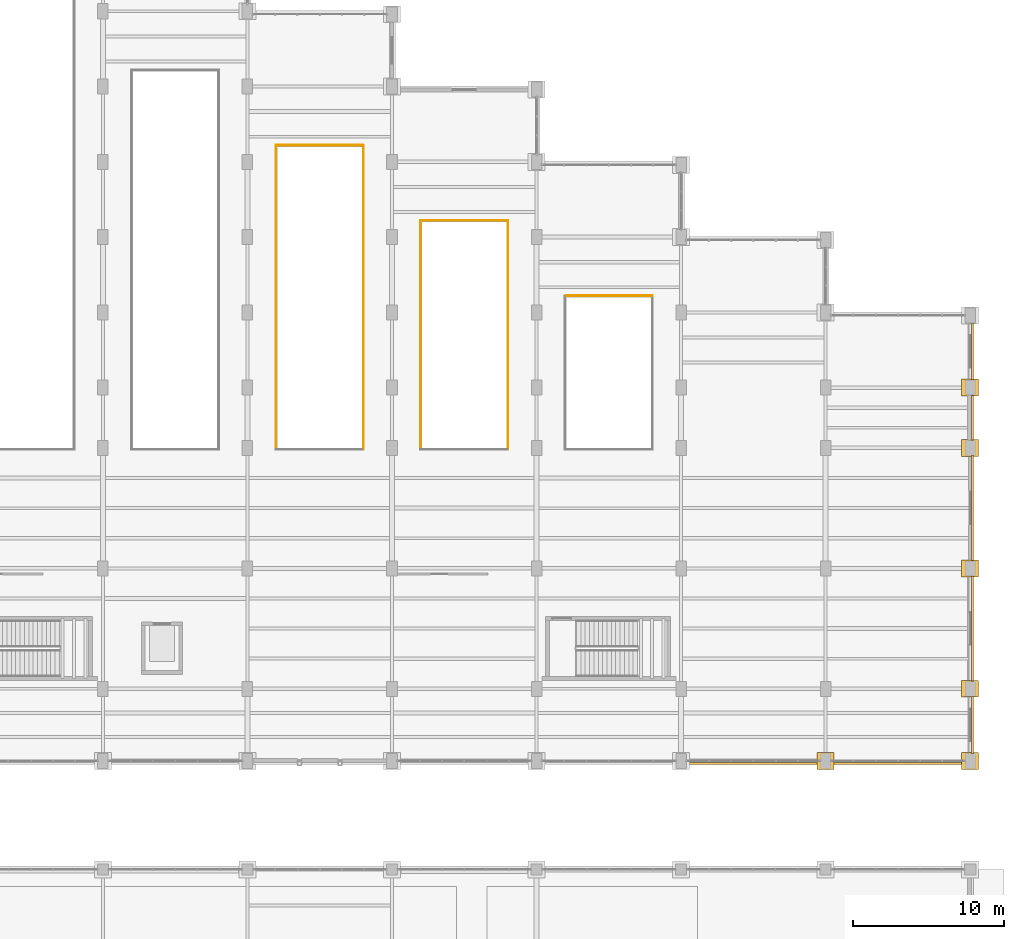
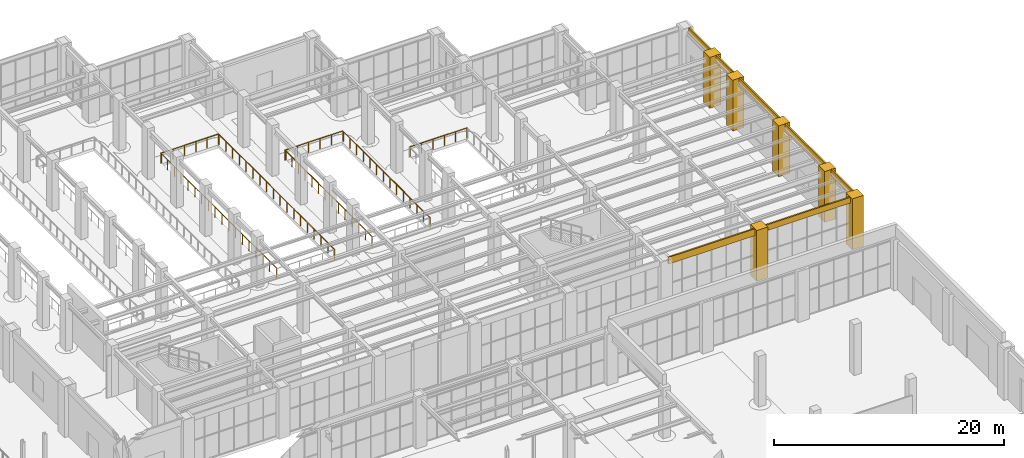
# One storey, part 161 of 164: 13 coverings, 7 railings.
"""IFC4 building model written with IfcOpenShell, lengths in metres."""

from ifc_helpers import new_model, si_unit, direction, frame, origin, origin_2d, place, context, subcontext, project, spatial, polyline, circle, outline, extrude, material, layer, layer_set, type_object, element, save


model = new_model("IFC4")

# Units and contexts
model_context = context("Model", 3, precision=1e-05, world=origin(), true_north=direction((0.0, 1.0)))
body_context = subcontext(model_context, "Body", "Model", "MODEL_VIEW")
ifc_project = project(units=[si_unit("LENGTHUNIT", "METRE"), si_unit("AREAUNIT", "SQUARE_METRE"), si_unit("VOLUMEUNIT", "CUBIC_METRE"), si_unit("PLANEANGLEUNIT", "RADIAN"), si_unit("MASSUNIT", "GRAM", prefix="KILO")], contexts=[model_context])

# Site, building, storey
site_placement = place(None, origin())
site = spatial("IfcSite", under=ifc_project, at=site_placement, CompositionType="ELEMENT")
building_placement = place(site_placement, origin())
building = spatial("IfcBuilding", under=site, at=building_placement, Name="Mavantir Sound Aquarium", CompositionType="ELEMENT")
storey_placement = place(building_placement, origin())
storey = spatial("IfcBuildingStorey", under=building, at=storey_placement, Name="L00", CompositionType="ELEMENT", Elevation=0.0)

# Coverings
ifc_material_1 = material(Name="Honed Coral-Limestone & Glazed Terracotta Rainscreen Cladding", Category="masonry")
ifc_layer = layer(ifc_material_1, 0.06005859375, Name="Honed Coral-Limestone & Glazed Terracotta Rainscreen Cladding")
ifc_layer_set = layer_set([ifc_layer], Name="Honed Coral-Limestone & Glazed Terracotta Rainscreen Cladding")
covering_type = type_object("IfcCoveringType", Name="COV-CLAD-TC", PredefinedType="CLADDING", material=ifc_layer_set)
covering_1_placement = place(storey_placement, frame((0.0, 0.0, 4.677978515625)))
element("IfcCovering", 1, at=covering_1_placement, inside=storey, type_object=covering_type, Name="L00 Postmodern coral-limestone spandrel frieze 89", PredefinedType="CLADDING", context=body_context, shape_type="SweptSolid", body=[
    extrude(outline(polyline([(156.35791015625, 35.909912109375), (165.241943359375, 35.909912109375), (165.241943359375, 35.760009765625), (156.35791015625, 35.760009765625), (156.35791015625, 35.909912109375)])), origin(), (0.0, 0.0, 1.0), 0.721923828125),
])
covering_2_placement = place(storey_placement, frame((0.0, 0.0, 4.782958984375)))
element("IfcCovering", 2, at=covering_2_placement, inside=storey, type_object=covering_type, Name="L00 Postmodern coral-limestone spandrel frieze 90", PredefinedType="CLADDING", context=body_context, shape_type="SweptSolid", body=[
    extrude(outline(polyline([(165.9580078125, 35.909912109375), (174.842041015625, 35.909912109375), (174.842041015625, 35.760009765625), (165.9580078125, 35.760009765625), (165.9580078125, 35.909912109375)])), origin(), (0.0, 0.0, 1.0), 0.616943359375),
])
covering_3_placement = place(storey_placement, frame((0.0, 0.0, 4.676025390625)))
element("IfcCovering", 3, at=covering_3_placement, inside=storey, type_object=covering_type, Name="L00 Postmodern coral-limestone spandrel frieze 91", PredefinedType="CLADDING", context=body_context, shape_type="SweptSolid", body=[
    extrude(outline(polyline([(175.2900390625, 36.508056640625), (175.2900390625, 40.2919921875), (175.43994140625, 40.2919921875), (175.43994140625, 36.508056640625), (175.2900390625, 36.508056640625)])), origin(), (0.0, 0.0, 1.0), 0.723876953125),
])
covering_4_placement = place(storey_placement, frame((0.0, 0.0, 4.569091796875)))
element("IfcCovering", 4, at=covering_4_placement, inside=storey, type_object=covering_type, Name="L00 Postmodern coral-limestone spandrel frieze 92", PredefinedType="CLADDING", context=body_context, shape_type="SweptSolid", body=[
    extrude(outline(polyline([(175.2900390625, 41.30810546875), (175.2900390625, 48.2919921875), (175.43994140625, 48.2919921875), (175.43994140625, 41.30810546875), (175.2900390625, 41.30810546875)])), origin(), (0.0, 0.0, 1.0), 0.830810546875),
])
covering_5_placement = place(storey_placement, frame((0.0, 0.0, 4.633056640625)))
element("IfcCovering", 5, at=covering_5_placement, inside=storey, type_object=covering_type, Name="L00 Postmodern coral-limestone spandrel frieze 93", PredefinedType="CLADDING", context=body_context, shape_type="SweptSolid", body=[
    extrude(outline(polyline([(175.2900390625, 49.30810546875), (175.2900390625, 56.2919921875), (175.43994140625, 56.2919921875), (175.43994140625, 49.30810546875), (175.2900390625, 49.30810546875)])), origin(), (0.0, 0.0, 1.0), 0.766845703125),
])
covering_6_placement = place(storey_placement, frame((0.0, 0.0, 4.569091796875)))
element("IfcCovering", 6, at=covering_6_placement, inside=storey, type_object=covering_type, Name="L00 Postmodern coral-limestone spandrel frieze 94", PredefinedType="CLADDING", context=body_context, shape_type="SweptSolid", body=[
    extrude(outline(polyline([(175.2900390625, 57.30810546875), (175.2900390625, 60.2919921875), (175.43994140625, 60.2919921875), (175.43994140625, 57.30810546875), (175.2900390625, 57.30810546875)])), origin(), (0.0, 0.0, 1.0), 0.830810546875),
])
covering_7_placement = place(storey_placement, frame((0.0, 0.0, 4.68603515625)))
element("IfcCovering", 7, at=covering_7_placement, inside=storey, type_object=covering_type, Name="L00 Postmodern coral-limestone spandrel frieze 95", PredefinedType="CLADDING", context=body_context, shape_type="SweptSolid", body=[
    extrude(outline(polyline([(175.2900390625, 61.30810546875), (175.2900390625, 65.092041015625), (175.43994140625, 65.092041015625), (175.43994140625, 61.30810546875), (175.2900390625, 61.30810546875)])), origin(), (0.0, 0.0, 1.0), 0.7138671875),
])
covering_8_placement = place(storey_placement, origin())
element("IfcCovering", 8, at=covering_8_placement, inside=storey, type_object=covering_type, Name="L00 Postmodern coral-limestone pilaster casing 311", PredefinedType="CLADDING", context=body_context, shape_type="SweptSolid", body=[
    extrude(outline(polyline([(165.0400390625, 35.43994140625), (166.159912109375, 35.43994140625), (166.159912109375, 36.56005859375), (165.0400390625, 36.56005859375), (165.0400390625, 35.43994140625)])), origin(), (0.0, 0.0, 1.0), 5.39990234375),
])
covering_9_placement = place(storey_placement, origin())
element("IfcCovering", 9, at=covering_9_placement, inside=storey, type_object=covering_type, Name="L00 Postmodern coral-limestone pilaster casing 323", PredefinedType="CLADDING", context=body_context, shape_type="SweptSolid", body=[
    extrude(outline(polyline([(174.639892578125, 35.43994140625), (175.760009765625, 35.43994140625), (175.760009765625, 36.56005859375), (174.639892578125, 36.56005859375), (174.639892578125, 35.43994140625)])), origin(), (0.0, 0.0, 1.0), 5.39990234375),
])
covering_10_placement = place(storey_placement, origin())
element("IfcCovering", 10, at=covering_10_placement, inside=storey, type_object=covering_type, Name="L00 Postmodern coral-limestone pilaster casing 325", PredefinedType="CLADDING", context=body_context, shape_type="SweptSolid", body=[
    extrude(outline(polyline([(174.639892578125, 40.239990234375), (175.760009765625, 40.239990234375), (175.760009765625, 41.360107421875), (174.639892578125, 41.360107421875), (174.639892578125, 40.239990234375)])), origin(), (0.0, 0.0, 1.0), 5.39990234375),
])
covering_11_placement = place(storey_placement, origin())
element("IfcCovering", 11, at=covering_11_placement, inside=storey, type_object=covering_type, Name="L00 Postmodern coral-limestone pilaster casing 329", PredefinedType="CLADDING", context=body_context, shape_type="SweptSolid", body=[
    extrude(outline(polyline([(174.639892578125, 48.239990234375), (175.760009765625, 48.239990234375), (175.760009765625, 49.360107421875), (174.639892578125, 49.360107421875), (174.639892578125, 48.239990234375)])), origin(), (0.0, 0.0, 1.0), 5.39990234375),
])
covering_12_placement = place(storey_placement, origin())
element("IfcCovering", 12, at=covering_12_placement, inside=storey, type_object=covering_type, Name="L00 Postmodern coral-limestone pilaster casing 333", PredefinedType="CLADDING", context=body_context, shape_type="SweptSolid", body=[
    extrude(outline(polyline([(174.639892578125, 56.239990234375), (175.760009765625, 56.239990234375), (175.760009765625, 57.360107421875), (174.639892578125, 57.360107421875), (174.639892578125, 56.239990234375)])), origin(), (0.0, 0.0, 1.0), 5.39990234375),
])
covering_13_placement = place(storey_placement, origin())
element("IfcCovering", 13, at=covering_13_placement, inside=storey, type_object=covering_type, Name="L00 Postmodern coral-limestone pilaster casing 337", PredefinedType="CLADDING", context=body_context, shape_type="SweptSolid", body=[
    extrude(outline(polyline([(174.639892578125, 60.239990234375), (175.760009765625, 60.239990234375), (175.760009765625, 61.360107421875), (174.639892578125, 61.360107421875), (174.639892578125, 60.239990234375)])), origin(), (0.0, 0.0, 1.0), 5.39990234375),
])

# Railings
ifc_material_2 = material(Name="Stainless Steel 316 and Laminated Glass Guardrail", Category="steel")
railing_type = type_object("IfcRailingType", Name="RL-GUARD-110", PredefinedType="GUARDRAIL", material=ifc_material_2)
railing_1_placement = place(storey_placement, frame((134.89990234375, 56.699951171875, 0.0)))
element("IfcRailing", 14, at=railing_1_placement, inside=storey, type_object=railing_type, Name="L00 atrium void E guardrail 76", PredefinedType="GUARDRAIL", context=body_context, shape_type="SweptSolid", body=[
    extrude(circle(Radius=0.02392578125, at=origin_2d()), frame((0.0, 0.0, 1.076171875), z_axis=(0.0, 1.0, 0.0), x_axis=(-1.0, 0.0, 0.0)), (0.0, 0.0, 1.0), 20.1201171875),
    extrude(circle(Radius=0.02099609375, at=origin_2d()), origin(), (0.0, 0.0, 1.0), 1.052001953125),
    extrude(circle(Radius=0.02099609375, at=origin_2d()), frame((0.0, 1.18359375, 0.0)), (0.0, 0.0, 1.0), 1.052001953125),
    extrude(circle(Radius=0.02099609375, at=origin_2d()), frame((0.0, 2.3671875, 0.0)), (0.0, 0.0, 1.0), 1.052001953125),
    extrude(circle(Radius=0.02099609375, at=origin_2d()), frame((0.0, 3.550537109375, 0.0)), (0.0, 0.0, 1.0), 1.052001953125),
    extrude(circle(Radius=0.02099609375, at=origin_2d()), frame((0.0, 4.734130859375, 0.0)), (0.0, 0.0, 1.0), 1.052001953125),
    extrude(circle(Radius=0.02099609375, at=origin_2d()), frame((0.0, 5.917724609375, 0.0)), (0.0, 0.0, 1.0), 1.052001953125),
    extrude(circle(Radius=0.02099609375, at=origin_2d()), frame((0.0, 7.101318359375, 0.0)), (0.0, 0.0, 1.0), 1.052001953125),
    extrude(circle(Radius=0.02099609375, at=origin_2d()), frame((0.0, 8.28466796875, 0.0)), (0.0, 0.0, 1.0), 1.052001953125),
    extrude(circle(Radius=0.02099609375, at=origin_2d()), frame((0.0, 9.46826171875, 0.0)), (0.0, 0.0, 1.0), 1.052001953125),
    extrude(circle(Radius=0.02099609375, at=origin_2d()), frame((0.0, 10.65185546875, 0.0)), (0.0, 0.0, 1.0), 1.052001953125),
    extrude(circle(Radius=0.02099609375, at=origin_2d()), frame((0.0, 11.83544921875, 0.0)), (0.0, 0.0, 1.0), 1.052001953125),
    extrude(circle(Radius=0.02099609375, at=origin_2d()), frame((0.0, 13.018798828125, 0.0)), (0.0, 0.0, 1.0), 1.052001953125),
    extrude(circle(Radius=0.02099609375, at=origin_2d()), frame((0.0, 14.202392578125, 0.0)), (0.0, 0.0, 1.0), 1.052001953125),
    extrude(circle(Radius=0.02099609375, at=origin_2d()), frame((0.0, 15.385986328125, 0.0)), (0.0, 0.0, 1.0), 1.052001953125),
    extrude(circle(Radius=0.02099609375, at=origin_2d()), frame((0.0, 16.569580078125, 0.0)), (0.0, 0.0, 1.0), 1.052001953125),
    extrude(circle(Radius=0.02099609375, at=origin_2d()), frame((0.0, 17.7529296875, 0.0)), (0.0, 0.0, 1.0), 1.052001953125),
    extrude(circle(Radius=0.02099609375, at=origin_2d()), frame((0.0, 18.9365234375, 0.0)), (0.0, 0.0, 1.0), 1.052001953125),
    extrude(circle(Radius=0.02099609375, at=origin_2d()), frame((0.0, 20.1201171875, 0.0)), (0.0, 0.0, 1.0), 1.052001953125),
])
railing_2_placement = place(storey_placement, frame((134.89990234375, 76.89990234375, 0.0)))
element("IfcRailing", 15, at=railing_2_placement, inside=storey, type_object=railing_type, Name="L00 atrium void N guardrail 77", PredefinedType="GUARDRAIL", context=body_context, shape_type="SweptSolid", body=[
    extrude(circle(Radius=0.02392578125, at=origin_2d()), frame((0.0, 0.0, 1.076171875), z_axis=(-1.0, 0.0, 0.0), x_axis=(0.0, -1.0, 0.0)), (0.0, 0.0, 1.0), 5.719970703125),
    extrude(circle(Radius=0.02099609375, at=origin_2d()), origin(), (0.0, 0.0, 1.0), 1.052001953125),
    extrude(circle(Radius=0.02099609375, at=origin_2d()), frame((-1.14404296875, 0.0, 0.0)), (0.0, 0.0, 1.0), 1.052001953125),
    extrude(circle(Radius=0.02099609375, at=origin_2d()), frame((-2.2880859375, 0.0, 0.0)), (0.0, 0.0, 1.0), 1.052001953125),
    extrude(circle(Radius=0.02099609375, at=origin_2d()), frame((-3.431884765625, 0.0, 0.0)), (0.0, 0.0, 1.0), 1.052001953125),
    extrude(circle(Radius=0.02099609375, at=origin_2d()), frame((-4.575927734375, 0.0, 0.0)), (0.0, 0.0, 1.0), 1.052001953125),
    extrude(circle(Radius=0.02099609375, at=origin_2d()), frame((-5.719970703125, 0.0, 0.0)), (0.0, 0.0, 1.0), 1.052001953125),
])
railing_3_placement = place(storey_placement, frame((129.10009765625, 76.89990234375, 0.0)))
element("IfcRailing", 16, at=railing_3_placement, inside=storey, type_object=railing_type, Name="L00 atrium void W guardrail 78", PredefinedType="GUARDRAIL", context=body_context, shape_type="SweptSolid", body=[
    extrude(circle(Radius=0.02392578125, at=origin_2d()), frame((0.0, 0.0, 1.076171875), z_axis=(0.0, -1.0, 0.0), x_axis=(1.0, 0.0, 0.0)), (0.0, 0.0, 1.0), 20.119873046875),
    extrude(circle(Radius=0.02099609375, at=origin_2d()), origin(), (0.0, 0.0, 1.0), 1.052001953125),
    extrude(circle(Radius=0.02099609375, at=origin_2d()), frame((0.0, -1.18359375, 0.0)), (0.0, 0.0, 1.0), 1.052001953125),
    extrude(circle(Radius=0.02099609375, at=origin_2d()), frame((0.0, -2.366943359375, 0.0)), (0.0, 0.0, 1.0), 1.052001953125),
    extrude(circle(Radius=0.02099609375, at=origin_2d()), frame((0.0, -3.550537109375, 0.0)), (0.0, 0.0, 1.0), 1.052001953125),
    extrude(circle(Radius=0.02099609375, at=origin_2d()), frame((0.0, -4.734130859375, 0.0)), (0.0, 0.0, 1.0), 1.052001953125),
    extrude(circle(Radius=0.02099609375, at=origin_2d()), frame((0.0, -5.917724609375, 0.0)), (0.0, 0.0, 1.0), 1.052001953125),
    extrude(circle(Radius=0.02099609375, at=origin_2d()), frame((0.0, -7.10107421875, 0.0)), (0.0, 0.0, 1.0), 1.052001953125),
    extrude(circle(Radius=0.02099609375, at=origin_2d()), frame((0.0, -8.28466796875, 0.0)), (0.0, 0.0, 1.0), 1.052001953125),
    extrude(circle(Radius=0.02099609375, at=origin_2d()), frame((0.0, -9.46826171875, 0.0)), (0.0, 0.0, 1.0), 1.052001953125),
    extrude(circle(Radius=0.02099609375, at=origin_2d()), frame((0.0, -10.651611328125, 0.0)), (0.0, 0.0, 1.0), 1.052001953125),
    extrude(circle(Radius=0.02099609375, at=origin_2d()), frame((0.0, -11.835205078125, 0.0)), (0.0, 0.0, 1.0), 1.052001953125),
    extrude(circle(Radius=0.02099609375, at=origin_2d()), frame((0.0, -13.018798828125, 0.0)), (0.0, 0.0, 1.0), 1.052001953125),
    extrude(circle(Radius=0.02099609375, at=origin_2d()), frame((0.0, -14.2021484375, 0.0)), (0.0, 0.0, 1.0), 1.052001953125),
    extrude(circle(Radius=0.02099609375, at=origin_2d()), frame((0.0, -15.3857421875, 0.0)), (0.0, 0.0, 1.0), 1.052001953125),
    extrude(circle(Radius=0.02099609375, at=origin_2d()), frame((0.0, -16.5693359375, 0.0)), (0.0, 0.0, 1.0), 1.052001953125),
    extrude(circle(Radius=0.02099609375, at=origin_2d()), frame((0.0, -17.7529296875, 0.0)), (0.0, 0.0, 1.0), 1.052001953125),
    extrude(circle(Radius=0.02099609375, at=origin_2d()), frame((0.0, -18.936279296875, 0.0)), (0.0, 0.0, 1.0), 1.052001953125),
    extrude(circle(Radius=0.02099609375, at=origin_2d()), frame((0.0, -20.119873046875, 0.0)), (0.0, 0.0, 1.0), 1.052001953125),
])
railing_4_placement = place(storey_placement, frame((144.5, 56.699951171875, 0.0)))
element("IfcRailing", 17, at=railing_4_placement, inside=storey, type_object=railing_type, Name="L00 atrium void E guardrail 80", PredefinedType="GUARDRAIL", context=body_context, shape_type="SweptSolid", body=[
    extrude(circle(Radius=0.02392578125, at=origin_2d()), frame((0.0, 0.0, 1.076171875), z_axis=(0.0, 1.0, 0.0), x_axis=(-1.0, 0.0, 0.0)), (0.0, 0.0, 1.0), 15.1201171875),
    extrude(circle(Radius=0.02099609375, at=origin_2d()), origin(), (0.0, 0.0, 1.0), 1.052001953125),
    extrude(circle(Radius=0.02099609375, at=origin_2d()), frame((0.0, 1.1630859375, 0.0)), (0.0, 0.0, 1.0), 1.052001953125),
    extrude(circle(Radius=0.02099609375, at=origin_2d()), frame((0.0, 2.326171875, 0.0)), (0.0, 0.0, 1.0), 1.052001953125),
    extrude(circle(Radius=0.02099609375, at=origin_2d()), frame((0.0, 3.4892578125, 0.0)), (0.0, 0.0, 1.0), 1.052001953125),
    extrude(circle(Radius=0.02099609375, at=origin_2d()), frame((0.0, 4.65234375, 0.0)), (0.0, 0.0, 1.0), 1.052001953125),
    extrude(circle(Radius=0.02099609375, at=origin_2d()), frame((0.0, 5.8154296875, 0.0)), (0.0, 0.0, 1.0), 1.052001953125),
    extrude(circle(Radius=0.02099609375, at=origin_2d()), frame((0.0, 6.978515625, 0.0)), (0.0, 0.0, 1.0), 1.052001953125),
    extrude(circle(Radius=0.02099609375, at=origin_2d()), frame((0.0, 8.1416015625, 0.0)), (0.0, 0.0, 1.0), 1.052001953125),
    extrude(circle(Radius=0.02099609375, at=origin_2d()), frame((0.0, 9.3046875, 0.0)), (0.0, 0.0, 1.0), 1.052001953125),
    extrude(circle(Radius=0.02099609375, at=origin_2d()), frame((0.0, 10.4677734375, 0.0)), (0.0, 0.0, 1.0), 1.052001953125),
    extrude(circle(Radius=0.02099609375, at=origin_2d()), frame((0.0, 11.630859375, 0.0)), (0.0, 0.0, 1.0), 1.052001953125),
    extrude(circle(Radius=0.02099609375, at=origin_2d()), frame((0.0, 12.7939453125, 0.0)), (0.0, 0.0, 1.0), 1.052001953125),
    extrude(circle(Radius=0.02099609375, at=origin_2d()), frame((0.0, 13.95703125, 0.0)), (0.0, 0.0, 1.0), 1.052001953125),
    extrude(circle(Radius=0.02099609375, at=origin_2d()), frame((0.0, 15.1201171875, 0.0)), (0.0, 0.0, 1.0), 1.052001953125),
])
railing_5_placement = place(storey_placement, frame((144.5, 71.89990234375, 0.0)))
element("IfcRailing", 18, at=railing_5_placement, inside=storey, type_object=railing_type, Name="L00 atrium void N guardrail 81", PredefinedType="GUARDRAIL", context=body_context, shape_type="SweptSolid", body=[
    extrude(circle(Radius=0.02392578125, at=origin_2d()), frame((0.0, 0.0, 1.076171875), z_axis=(-1.0, 0.0, 0.0), x_axis=(0.0, -1.0, 0.0)), (0.0, 0.0, 1.0), 5.719970703125),
    extrude(circle(Radius=0.02099609375, at=origin_2d()), origin(), (0.0, 0.0, 1.0), 1.052001953125),
    extrude(circle(Radius=0.02099609375, at=origin_2d()), frame((-1.14404296875, 0.0, 0.0)), (0.0, 0.0, 1.0), 1.052001953125),
    extrude(circle(Radius=0.02099609375, at=origin_2d()), frame((-2.2880859375, 0.0, 0.0)), (0.0, 0.0, 1.0), 1.052001953125),
    extrude(circle(Radius=0.02099609375, at=origin_2d()), frame((-3.431884765625, 0.0, 0.0)), (0.0, 0.0, 1.0), 1.052001953125),
    extrude(circle(Radius=0.02099609375, at=origin_2d()), frame((-4.575927734375, 0.0, 0.0)), (0.0, 0.0, 1.0), 1.052001953125),
    extrude(circle(Radius=0.02099609375, at=origin_2d()), frame((-5.719970703125, 0.0, 0.0)), (0.0, 0.0, 1.0), 1.052001953125),
])
railing_6_placement = place(storey_placement, frame((138.699951171875, 71.89990234375, 0.0)))
element("IfcRailing", 19, at=railing_6_placement, inside=storey, type_object=railing_type, Name="L00 atrium void W guardrail 82", PredefinedType="GUARDRAIL", context=body_context, shape_type="SweptSolid", body=[
    extrude(circle(Radius=0.02392578125, at=origin_2d()), frame((0.0, 0.0, 1.076171875), z_axis=(0.0, -1.0, 0.0), x_axis=(1.0, 0.0, 0.0)), (0.0, 0.0, 1.0), 15.119873046875),
    extrude(circle(Radius=0.02099609375, at=origin_2d()), origin(), (0.0, 0.0, 1.0), 1.052001953125),
    extrude(circle(Radius=0.02099609375, at=origin_2d()), frame((0.0, -1.1630859375, 0.0)), (0.0, 0.0, 1.0), 1.052001953125),
    extrude(circle(Radius=0.02099609375, at=origin_2d()), frame((0.0, -2.326171875, 0.0)), (0.0, 0.0, 1.0), 1.052001953125),
    extrude(circle(Radius=0.02099609375, at=origin_2d()), frame((0.0, -3.4892578125, 0.0)), (0.0, 0.0, 1.0), 1.052001953125),
    extrude(circle(Radius=0.02099609375, at=origin_2d()), frame((0.0, -4.65234375, 0.0)), (0.0, 0.0, 1.0), 1.052001953125),
    extrude(circle(Radius=0.02099609375, at=origin_2d()), frame((0.0, -5.8154296875, 0.0)), (0.0, 0.0, 1.0), 1.052001953125),
    extrude(circle(Radius=0.02099609375, at=origin_2d()), frame((0.0, -6.978515625, 0.0)), (0.0, 0.0, 1.0), 1.052001953125),
    extrude(circle(Radius=0.02099609375, at=origin_2d()), frame((0.0, -8.141357421875, 0.0)), (0.0, 0.0, 1.0), 1.052001953125),
    extrude(circle(Radius=0.02099609375, at=origin_2d()), frame((0.0, -9.304443359375, 0.0)), (0.0, 0.0, 1.0), 1.052001953125),
    extrude(circle(Radius=0.02099609375, at=origin_2d()), frame((0.0, -10.467529296875, 0.0)), (0.0, 0.0, 1.0), 1.052001953125),
    extrude(circle(Radius=0.02099609375, at=origin_2d()), frame((0.0, -11.630615234375, 0.0)), (0.0, 0.0, 1.0), 1.052001953125),
    extrude(circle(Radius=0.02099609375, at=origin_2d()), frame((0.0, -12.793701171875, 0.0)), (0.0, 0.0, 1.0), 1.052001953125),
    extrude(circle(Radius=0.02099609375, at=origin_2d()), frame((0.0, -13.956787109375, 0.0)), (0.0, 0.0, 1.0), 1.052001953125),
    extrude(circle(Radius=0.02099609375, at=origin_2d()), frame((0.0, -15.119873046875, 0.0)), (0.0, 0.0, 1.0), 1.052001953125),
])
railing_7_placement = place(storey_placement, frame((154.10009765625, 66.89990234375, 0.0)))
element("IfcRailing", 20, at=railing_7_placement, inside=storey, type_object=railing_type, Name="L00 atrium void N guardrail 85", PredefinedType="GUARDRAIL", context=body_context, shape_type="SweptSolid", body=[
    extrude(circle(Radius=0.02392578125, at=origin_2d()), frame((0.0, 0.0, 1.076171875), z_axis=(-1.0, 0.0, 0.0), x_axis=(0.0, -1.0, 0.0)), (0.0, 0.0, 1.0), 5.72021484375),
    extrude(circle(Radius=0.02099609375, at=origin_2d()), origin(), (0.0, 0.0, 1.0), 1.052001953125),
    extrude(circle(Radius=0.02099609375, at=origin_2d()), frame((-1.14404296875, 0.0, 0.0)), (0.0, 0.0, 1.0), 1.052001953125),
    extrude(circle(Radius=0.02099609375, at=origin_2d()), frame((-2.2880859375, 0.0, 0.0)), (0.0, 0.0, 1.0), 1.052001953125),
    extrude(circle(Radius=0.02099609375, at=origin_2d()), frame((-3.43212890625, 0.0, 0.0)), (0.0, 0.0, 1.0), 1.052001953125),
    extrude(circle(Radius=0.02099609375, at=origin_2d()), frame((-4.576171875, 0.0, 0.0)), (0.0, 0.0, 1.0), 1.052001953125),
    extrude(circle(Radius=0.02099609375, at=origin_2d()), frame((-5.72021484375, 0.0, 0.0)), (0.0, 0.0, 1.0), 1.052001953125),
])

save(model, "model.ifc")
